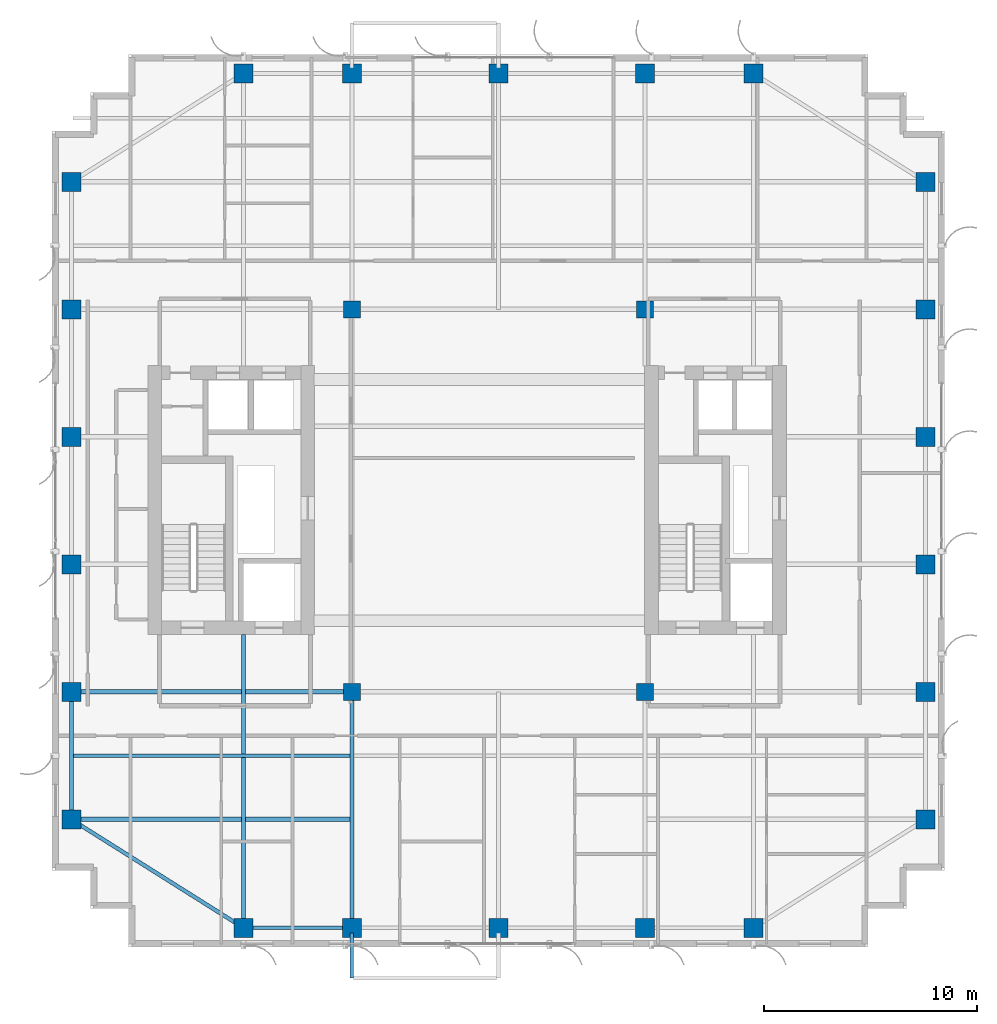
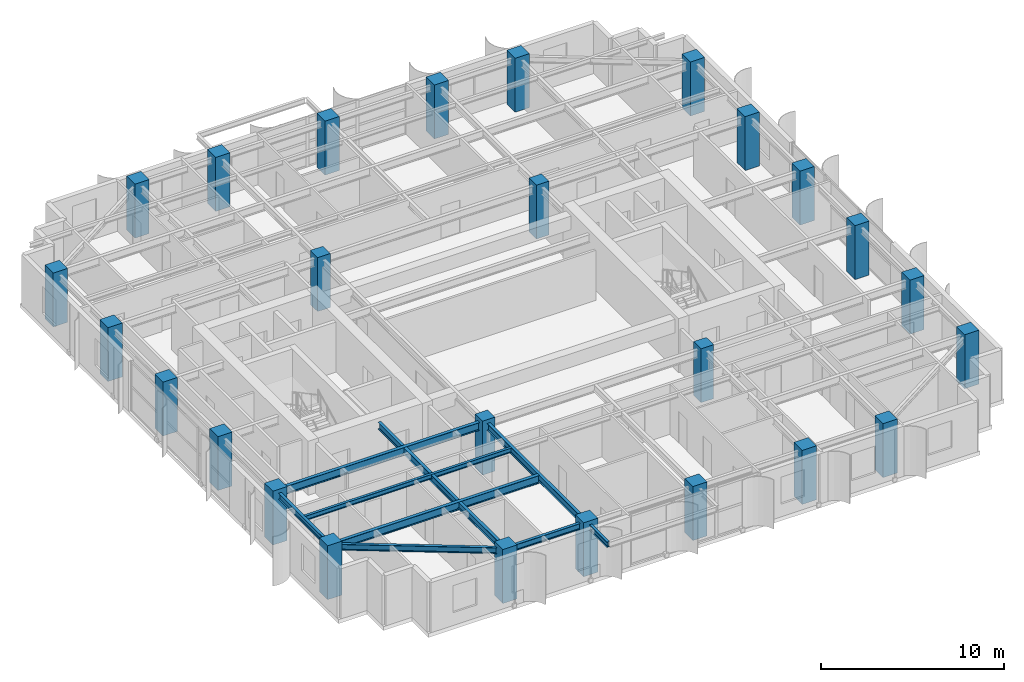
# One storey, part 1 of 21: 26 columns, 9 beams.
"""IFC4 building model written with IfcOpenShell, lengths in metres."""

from ifc_helpers import new_model, si_unit, direction, frame, origin, origin_2d, place, context, subcontext, project, spatial, rectangle, i_section, extrude, source, transform, mapped, material, material_profile, profile_set, type_object, element, save


model = new_model("IFC4")

# Units and contexts
model_context = context("Model", 3, precision=1e-05, world=origin(), true_north=direction((0.0, 1.0)))
body_context = subcontext(model_context, "Body", "Model", "MODEL_VIEW")
ifc_project = project(units=[si_unit("LENGTHUNIT", "METRE"), si_unit("AREAUNIT", "SQUARE_METRE"), si_unit("VOLUMEUNIT", "CUBIC_METRE"), si_unit("PLANEANGLEUNIT", "RADIAN"), si_unit("MASSUNIT", "GRAM", prefix="KILO")], contexts=[model_context])

# Site, building, storey
site_placement = place(None, origin())
site = spatial("IfcSite", under=ifc_project, at=site_placement, CompositionType="ELEMENT")
building_placement = place(site_placement, origin())
building = spatial("IfcBuilding", under=site, at=building_placement, Name="Khoralis Quay Care Tower", CompositionType="ELEMENT")
storey_placement = place(building_placement, frame((0.0, 0.0, 159.300048828125)))
storey = spatial("IfcBuildingStorey", under=building, at=storey_placement, Name="L41", CompositionType="ELEMENT", Elevation=159.300048828125)

# Columns
ifc_material_1 = material(Name="Concrete C65/80", Category="concrete")
ifc_material_profile_1 = material_profile(ifc_material_1, rectangle(XDim=0.89990234375, YDim=0.89990234375, at=origin_2d()), Name="Concrete C65/80")
ifc_profile_set_1 = profile_set([ifc_material_profile_1], Name="Concrete C65/80")
column_type_1 = type_object("IfcColumnType", Name="COL-C900", PredefinedType="COLUMN", material=ifc_profile_set_1)
shared_shape_1 = source(origin(), body_context, "Body", "SweptSolid", [
    extrude(rectangle(XDim=0.89990234375, YDim=0.89990234375, at=origin_2d()), origin(), (0.0, 0.0, 1.0), 3.599853515625),
])
for number, where, z_axis, x_axis, name in (
    (1, (12.0, 0.89990234375, 0.0), (0.0, 0.0, 1.0), (1.0, 0.0, 0.0), "COL-TWR-L41-01"),
    (2, (12.0, 41.10009765625, 0.0), (0.0, 0.0, 1.0), (1.0, 0.0, 0.0), "COL-TWR-L41-02"),
    (3, (17.10009765625, 0.89990234375, 0.0), (0.0, 0.0, 1.0), (1.0, 0.0, 0.0), "COL-TWR-L41-03"),
    (4, (17.10009765625, 41.10009765625, 0.0), (0.0, 0.0, 1.0), (1.0, 0.0, 0.0), "COL-TWR-L41-04"),
    (5, (24.0, 0.89990234375, 0.0), (0.0, 0.0, 1.0), (1.0, 0.0, 0.0), "COL-TWR-L41-05"),
    (6, (24.0, 41.10009765625, 0.0), (0.0, 0.0, 1.0), (1.0, 0.0, 0.0), "COL-TWR-L41-06"),
    (7, (30.89990234375, 0.89990234375, 0.0), (0.0, 0.0, 1.0), (1.0, 0.0, 0.0), "COL-TWR-L41-07"),
    (8, (30.89990234375, 41.10009765625, 0.0), (0.0, 0.0, 1.0), (1.0, 0.0, 0.0), "COL-TWR-L41-08"),
    (9, (36.0, 0.89990234375, 0.0), (0.0, 0.0, 1.0), (1.0, 0.0, 0.0), "COL-TWR-L41-09"),
    (10, (36.0, 41.10009765625, 0.0), (0.0, 0.0, 1.0), (1.0, 0.0, 0.0), "COL-TWR-L41-10"),
    (11, (3.89990234375, 6.0, 0.0), (0.0, 0.0, 1.0), (1.0, 0.0, 0.0), "COL-TWR-L41-11"),
    (12, (44.10009765625, 6.0, 0.0), (0.0, 0.0, 1.0), (1.0, 0.0, 0.0), "COL-TWR-L41-12"),
    (13, (3.89990234375, 12.0, 0.0), (0.0, 0.0, 1.0), (1.0, 0.0, 0.0), "COL-TWR-L41-13"),
    (14, (44.10009765625, 12.0, 0.0), (0.0, 0.0, 1.0), (1.0, 0.0, 0.0), "COL-TWR-L41-14"),
    (15, (3.89990234375, 18.0, 0.0), (0.0, 0.0, 1.0), (1.0, 0.0, 0.0), "COL-TWR-L41-15"),
    (16, (44.10009765625, 18.0, 0.0), (0.0, 0.0, 1.0), (1.0, 0.0, 0.0), "COL-TWR-L41-16"),
    (17, (3.89990234375, 24.0, 0.0), (0.0, 0.0, 1.0), (1.0, 0.0, 0.0), "COL-TWR-L41-17"),
    (18, (44.10009765625, 24.0, 0.0), (0.0, 0.0, 1.0), (1.0, 0.0, 0.0), "COL-TWR-L41-18"),
    (19, (3.89990234375, 30.0, 0.0), (0.0, 0.0, 1.0), (1.0, 0.0, 0.0), "COL-TWR-L41-19"),
    (20, (44.10009765625, 30.0, 0.0), (0.0, 0.0, 1.0), (1.0, 0.0, 0.0), "COL-TWR-L41-20"),
    (21, (3.89990234375, 36.0, 0.0), (0.0, 0.0, 1.0), (1.0, 0.0, 0.0), "COL-TWR-L41-21"),
    (22, (44.10009765625, 36.0, 0.0), (0.0, 0.0, 1.0), (1.0, 0.0, 0.0), "COL-TWR-L41-22"),
):
    element("IfcColumn", number, at=place(storey_placement, frame(where, z_axis=z_axis, x_axis=x_axis)), inside=storey, type_object=column_type_1, Name=name, PredefinedType="COLUMN", context=body_context, shape_type="MappedRepresentation", body=[
        mapped(shared_shape_1, transform((0.0, 0.0, 0.0), scale=1.0)),
    ])
ifc_material_2 = material(Name="Concrete C50/60", Category="concrete")
ifc_material_profile_2 = material_profile(ifc_material_2, rectangle(XDim=0.800048828125, YDim=0.800048828125, at=origin_2d()), Name="Concrete C50/60")
ifc_profile_set_2 = profile_set([ifc_material_profile_2], Name="Concrete C50/60")
column_type_2 = type_object("IfcColumnType", Name="COL-C800", PredefinedType="COLUMN", material=ifc_profile_set_2)
shared_shape_2 = source(origin(), body_context, "Body", "SweptSolid", [
    extrude(rectangle(XDim=0.800048828125, YDim=0.800048828125, at=origin_2d()), origin(), (0.0, 0.0, 1.0), 3.599853515625),
])
for number, where, z_axis, x_axis, name in (
    (23, (17.10009765625, 12.0, 0.0), (0.0, 0.0, 1.0), (1.0, 0.0, 0.0), "COL-TWR-L41-23"),
    (24, (17.10009765625, 30.0, 0.0), (0.0, 0.0, 1.0), (1.0, 0.0, 0.0), "COL-TWR-L41-24"),
    (25, (30.89990234375, 12.0, 0.0), (0.0, 0.0, 1.0), (1.0, 0.0, 0.0), "COL-TWR-L41-25"),
    (26, (30.89990234375, 30.0, 0.0), (0.0, 0.0, 1.0), (1.0, 0.0, 0.0), "COL-TWR-L41-26"),
):
    element("IfcColumn", number, at=place(storey_placement, frame(where, z_axis=z_axis, x_axis=x_axis)), inside=storey, type_object=column_type_2, Name=name, PredefinedType="COLUMN", context=body_context, shape_type="MappedRepresentation", body=[
        mapped(shared_shape_2, transform((0.0, 0.0, 0.0), scale=1.0)),
    ])

# Beams
ifc_material_3 = material(Name="Steel S355", Category="steel")
ifc_material_profile_3 = material_profile(ifc_material_3, i_section(OverallWidth=0.179931640625, OverallDepth=0.39990234375, WebThickness=0.008544921875, FlangeThickness=0.013427734375, FilletRadius=0.02099609375, at=origin_2d()), Name="Steel S355")
ifc_profile_set_3 = profile_set([ifc_material_profile_3], Name="Steel S355")
beam_type_1 = type_object("IfcBeamType", Name="BM-IPE400", PredefinedType="SPANDREL", material=ifc_profile_set_3)
shared_shape_3 = source(origin(), body_context, "Body", "SweptSolid", [
    extrude(i_section(OverallWidth=0.179931640625, OverallDepth=0.39990234375, WebThickness=0.008544921875, FlangeThickness=0.013427734375, FilletRadius=0.02099609375, at=origin_2d()), origin(), (0.0, 0.0, 1.0), 6.0),
])
beam_1_placement = place(storey_placement, frame((3.89990234375, 6.0, 3.139892578125), z_axis=(0.0, 1.0, 0.0), x_axis=(-1.0, 0.0, 0.0)))
element("IfcBeam", 27, at=beam_1_placement, inside=storey, type_object=beam_type_1, Name="BM-TSP-L41-09", PredefinedType="SPANDREL", context=body_context, shape_type="MappedRepresentation", body=[
    mapped(shared_shape_3, transform((0.0, 0.0, 0.0), scale=1.0)),
])
shared_shape_4 = source(origin(), body_context, "Body", "SweptSolid", [
    extrude(i_section(OverallWidth=0.179931640625, OverallDepth=0.39990234375, WebThickness=0.008544921875, FlangeThickness=0.013427734375, FilletRadius=0.02099609375, at=origin_2d()), origin(), (0.0, 0.0, 1.0), 5.10009765625),
])
beam_2_placement = place(storey_placement, frame((12.0, 0.89990234375, 3.139892578125), z_axis=(1.0, 0.0, 0.0), x_axis=(0.0, 1.0, 0.0)))
element("IfcBeam", 28, at=beam_2_placement, inside=storey, type_object=beam_type_1, Name="BM-TSP-L41-01", PredefinedType="SPANDREL", context=body_context, shape_type="MappedRepresentation", body=[
    mapped(shared_shape_4, transform((0.0, 0.0, 0.0), scale=1.0)),
])
shared_shape_5 = source(origin(), body_context, "Body", "SweptSolid", [
    extrude(i_section(OverallWidth=0.179931640625, OverallDepth=0.39990234375, WebThickness=0.008544921875, FlangeThickness=0.013427734375, FilletRadius=0.02099609375, at=origin_2d()), origin(), (0.0, 0.0, 1.0), 9.572021484375),
])
beam_3_placement = place(storey_placement, frame((12.0, 0.89990234375, 3.139892578125), z_axis=(-0.846231136359, 0.532815975602, 0.0), x_axis=(-0.532815975602, -0.846231136359, 0.0)))
element("IfcBeam", 29, at=beam_3_placement, inside=storey, type_object=beam_type_1, Name="BM-TCR-L41-19", PredefinedType="SPANDREL", context=body_context, shape_type="MappedRepresentation", body=[
    mapped(shared_shape_5, transform((0.0, 0.0, 0.0), scale=1.0)),
])
ifc_material_profile_4 = material_profile(ifc_material_3, i_section(OverallWidth=0.208984375, OverallDepth=0.532958984375, WebThickness=0.01025390625, FlangeThickness=0.015625, FilletRadius=0.01611328125, at=origin_2d()), Name="Steel S355")
ifc_profile_set_4 = profile_set([ifc_material_profile_4], Name="Steel S355")
beam_type_2 = type_object("IfcBeamType", Name="BM-W530X92", PredefinedType="BEAM", material=ifc_profile_set_4)
shared_shape_6 = source(origin(), body_context, "Body", "SweptSolid", [
    extrude(i_section(OverallWidth=0.208984375, OverallDepth=0.532958984375, WebThickness=0.01025390625, FlangeThickness=0.015625, FilletRadius=0.01611328125, at=origin_2d()), origin(), (0.0, 0.0, 1.0), 13.1162109375),
])
beam_4_placement = place(storey_placement, frame((3.89990234375, 6.0, 3.073486328125), z_axis=(1.0, 0.0, 0.0), x_axis=(0.0, 1.0, 0.0)))
element("IfcBeam", 30, at=beam_4_placement, inside=storey, type_object=beam_type_2, Name="BM-TGXW-L41-60", PredefinedType="BEAM", context=body_context, shape_type="MappedRepresentation", body=[
    mapped(shared_shape_6, transform((0.0, 0.0, 0.0), scale=1.0)),
])
shared_shape_7 = source(origin(), body_context, "Body", "SweptSolid", [
    extrude(i_section(OverallWidth=0.208984375, OverallDepth=0.532958984375, WebThickness=0.01025390625, FlangeThickness=0.015625, FilletRadius=0.01611328125, at=origin_2d()), origin(), (0.0, 0.0, 1.0), 13.2001953125),
])
beam_5_placement = place(storey_placement, frame((3.89990234375, 12.0, 3.073486328125), z_axis=(1.0, 0.0, 0.0), x_axis=(0.0, 1.0, 0.0)))
element("IfcBeam", 31, at=beam_5_placement, inside=storey, type_object=beam_type_2, Name="BM-TGXW-L41-120", PredefinedType="BEAM", context=body_context, shape_type="MappedRepresentation", body=[
    mapped(shared_shape_7, transform((0.0, 0.0, 0.0), scale=1.0)),
])
ifc_material_profile_5 = material_profile(ifc_material_3, i_section(OverallWidth=0.19189453125, OverallDepth=0.462890625, WebThickness=0.010498046875, FlangeThickness=0.017578125, FilletRadius=0.014892578125, at=origin_2d()), Name="Steel S355")
ifc_profile_set_5 = profile_set([ifc_material_profile_5], Name="Steel S355")
beam_type_3 = type_object("IfcBeamType", Name="BM-W460X89", PredefinedType="BEAM", material=ifc_profile_set_5)
shared_shape_8 = source(origin(), body_context, "Body", "SweptSolid", [
    extrude(i_section(OverallWidth=0.19189453125, OverallDepth=0.462890625, WebThickness=0.010498046875, FlangeThickness=0.017578125, FilletRadius=0.014892578125, at=origin_2d()), origin(), (0.0, 0.0, 1.0), 13.802001953125),
])
beam_6_placement = place(storey_placement, frame((12.0, 0.89990234375, 3.1083984375), z_axis=(0.0, 1.0, 0.0), x_axis=(-1.0, 0.0, 0.0)))
element("IfcBeam", 32, at=beam_6_placement, inside=storey, type_object=beam_type_3, Name="BM-TGYS-L41-120", PredefinedType="BEAM", context=body_context, shape_type="MappedRepresentation", body=[
    mapped(shared_shape_8, transform((0.0, 0.0, 0.0), scale=1.0)),
])
shared_shape_9 = source(origin(), body_context, "Body", "SweptSolid", [
    extrude(i_section(OverallWidth=0.19189453125, OverallDepth=0.462890625, WebThickness=0.010498046875, FlangeThickness=0.017578125, FilletRadius=0.014892578125, at=origin_2d()), origin(), (0.0, 0.0, 1.0), 11.10009765625),
])
beam_7_placement = place(storey_placement, frame((17.10009765625, 0.89990234375, 3.1083984375), z_axis=(0.0, 1.0, 0.0), x_axis=(-1.0, 0.0, 0.0)))
element("IfcBeam", 33, at=beam_7_placement, inside=storey, type_object=beam_type_3, Name="BM-TGYS-L41-171", PredefinedType="BEAM", context=body_context, shape_type="MappedRepresentation", body=[
    mapped(shared_shape_9, transform((0.0, 0.0, 0.0), scale=1.0)),
])
ifc_material_profile_6 = material_profile(ifc_material_3, i_section(OverallWidth=0.1650390625, OverallDepth=0.31005859375, WebThickness=0.005859375, FlangeThickness=0.009765625, FilletRadius=0.011962890625, at=origin_2d()), Name="Steel S355")
ifc_profile_set_6 = profile_set([ifc_material_profile_6], Name="Steel S355")
beam_type_4 = type_object("IfcBeamType", Name="BM-W310X39", PredefinedType="JOIST", material=ifc_profile_set_6)
shared_shape_10 = source(origin(), body_context, "Body", "SweptSolid", [
    extrude(i_section(OverallWidth=0.1650390625, OverallDepth=0.31005859375, WebThickness=0.005859375, FlangeThickness=0.009765625, FilletRadius=0.011962890625, at=origin_2d()), origin(), (0.0, 0.0, 1.0), 13.0400390625),
])
beam_8_placement = place(storey_placement, frame((3.97607421875, 9.0, 3.18505859375), z_axis=(1.0, 0.0, 0.0), x_axis=(0.0, 1.0, 0.0)))
element("IfcBeam", 34, at=beam_8_placement, inside=storey, type_object=beam_type_4, Name="BM-TJS-L41-23", PredefinedType="JOIST", context=body_context, shape_type="MappedRepresentation", body=[
    mapped(shared_shape_10, transform((0.0, 0.0, 0.0), scale=1.0)),
])
ifc_material_profile_7 = material_profile(ifc_material_3, i_section(OverallWidth=0.169921875, OverallDepth=0.360107421875, WebThickness=0.008056640625, FlangeThickness=0.0126953125, FilletRadius=0.01806640625, at=origin_2d()), Name="Steel S355")
ifc_profile_set_7 = profile_set([ifc_material_profile_7], Name="Steel S355")
beam_type_5 = type_object("IfcBeamType", Name="BM-IPE360", PredefinedType="SPANDREL", material=ifc_profile_set_7)
shared_shape_11 = source(origin(), body_context, "Body", "SweptSolid", [
    extrude(i_section(OverallWidth=0.169921875, OverallDepth=0.360107421875, WebThickness=0.008056640625, FlangeThickness=0.0126953125, FilletRadius=0.01806640625, at=origin_2d()), origin(), (0.0, 0.0, 1.0), 2.119873046875),
])
beam_9_placement = place(storey_placement, frame((17.10009765625, 0.64990234375, 3.1640625), z_axis=(0.0, -1.0, 0.0), x_axis=(1.0, 0.0, 0.0)))
element("IfcBeam", 35, at=beam_9_placement, inside=storey, type_object=beam_type_5, Name="L42 Balcony Cantilever Outrigger Beam 1", PredefinedType="SPANDREL", context=body_context, shape_type="MappedRepresentation", body=[
    mapped(shared_shape_11, transform((0.0, 0.0, 0.0), scale=1.0)),
])

save(model, "model.ifc")
